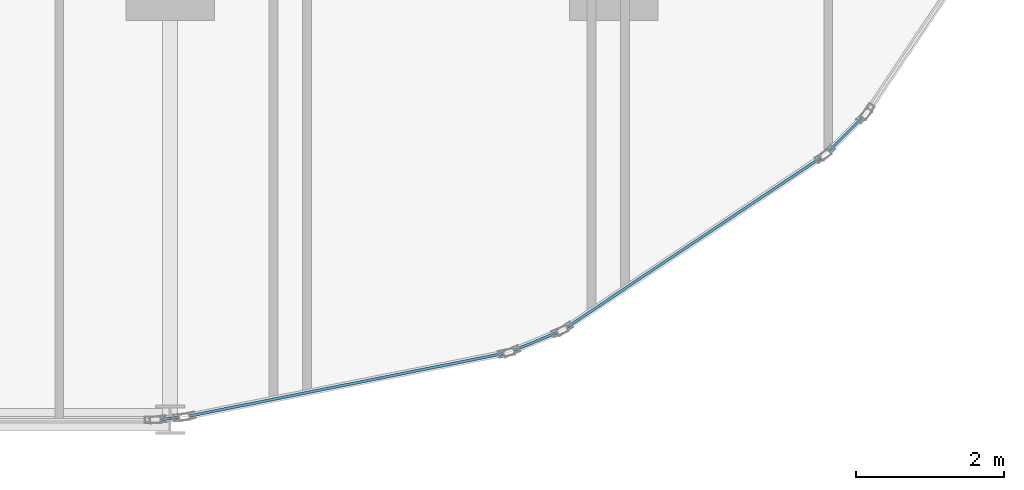
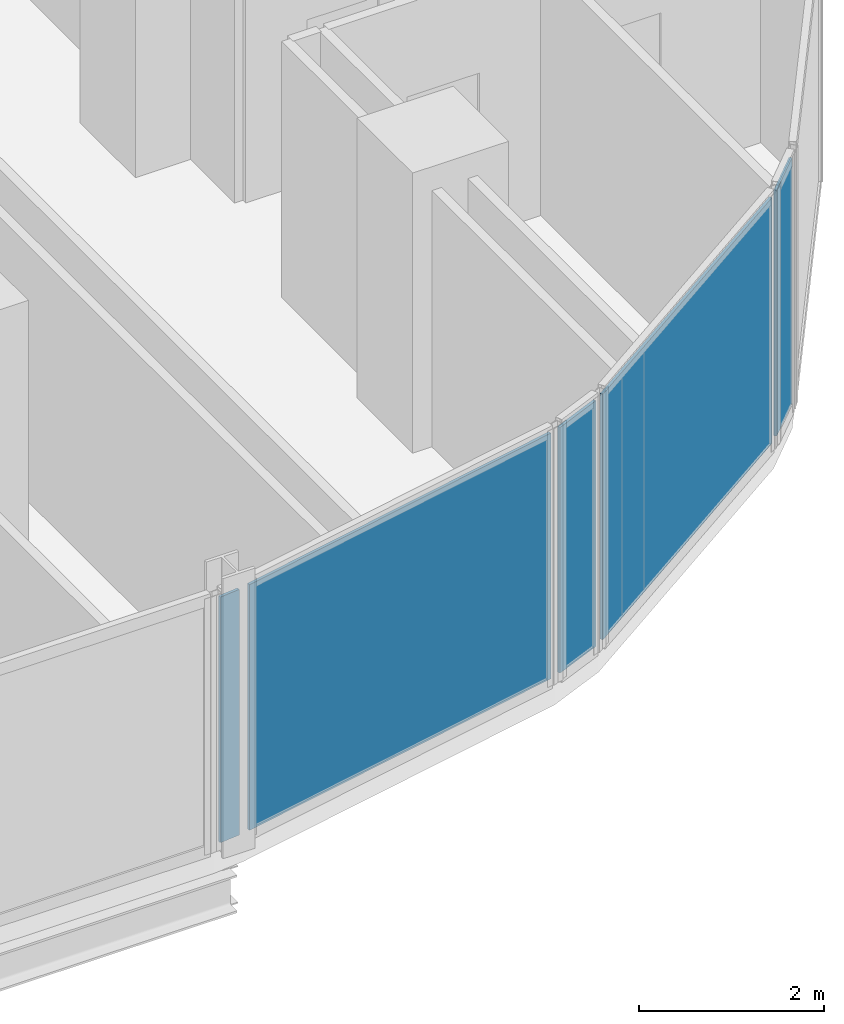
# One storey, part 22 of 34: 5 plates, 5 elements without a shape of their own.
"""IFC4 building model written with IfcOpenShell, lengths in metres."""

import ifcopenshell
import ifcopenshell.guid

model = None  # the IFC model being written
_history = None  # IfcOwnerHistory: only IFC2X3 demands one
_inside = {}  # id of a spatial element -> (the spatial element, [elements in it])
_under = {}  # id of a project, library or spatial element -> (it, [spatial elements below it])
_declared = {}  # id of a project -> (the project, [libraries it declares])
_typed = {}  # id of a type object -> (the type object, [elements of that type])
_made_of = {}  # id of a material, layer set ... -> (it, [elements and type objects made of it])


def new_model(schema):
    """Start an empty IFC model of exactly this schema.

    Asked for "IFC4X3", IfcOpenShell would pick the latest addendum, in which some entities
    have other attributes; the version numbers below select the first issue.
    IFC2X3 requires an IfcOwnerHistory on every rooted entity: one is made here for all.
    """
    global model, _history
    if schema == "IFC4X3":
        model = ifcopenshell.file(schema_version=(4, 3, 0, 0))
    else:
        model = ifcopenshell.file(schema=schema)
    _inside.clear()
    _under.clear()
    _declared.clear()
    _typed.clear()
    _made_of.clear()
    _history = None
    if model.schema == "IFC2X3":
        org = make("IfcOrganization", Name="unknown")
        user = make(
            "IfcPersonAndOrganization",
            ThePerson=make("IfcPerson", FamilyName="unknown"),
            TheOrganization=org,
        )
        app = make(
            "IfcApplication",
            ApplicationDeveloper=org,
            Version="unknown",
            ApplicationFullName="unknown",
            ApplicationIdentifier="unknown",
        )
        _history = make(
            "IfcOwnerHistory",
            OwningUser=user,
            OwningApplication=app,
            ChangeAction="ADDED",
            CreationDate=0,
        )
    return model


def make(cls, **values):
    """One entity of the class cls with the attributes given. An attribute that is None is left unset."""
    return model.create_entity(
        cls, **{name: value for name, value in values.items() if value is not None}
    )


def rooted(cls, **values):
    """An entity with a GlobalId (a new one), such as an element, a storey or a relation."""
    return make(cls, GlobalId=ifcopenshell.guid.new(), OwnerHistory=_history, **values)


def si_unit(unit_type, name, prefix=None):
    """IfcSIUnit, for example si_unit("LENGTHUNIT", "METRE", prefix="MILLI")."""
    return make("IfcSIUnit", UnitType=unit_type, Prefix=prefix, Name=name)


def assignment(units):
    """IfcUnitAssignment: the units of a project."""
    return None if units is None else make("IfcUnitAssignment", Units=units)


def point(xyz):
    """IfcCartesianPoint."""
    return None if xyz is None else make("IfcCartesianPoint", Coordinates=xyz)


def direction(xyz):
    """IfcDirection."""
    return None if xyz is None else make("IfcDirection", DirectionRatios=xyz)


def frame(location, z_axis=None, x_axis=None):
    """IfcAxis2Placement3D, a coordinate frame: its origin and axes. An axis left out is left unset."""
    return make(
        "IfcAxis2Placement3D",
        Location=point(location),
        Axis=direction(z_axis),
        RefDirection=direction(x_axis),
    )


def frame_2d(location, x_axis=None):
    """IfcAxis2Placement2D, a coordinate frame in the plane: its origin and x axis."""
    return make(
        "IfcAxis2Placement2D", Location=point(location), RefDirection=direction(x_axis)
    )


def origin():
    """The frame at (0, 0, 0) with its axes left unset."""
    return frame((0.0, 0.0, 0.0))


def origin_2d():
    """The frame at (0, 0) in the plane with its x axis left unset."""
    return frame_2d((0.0, 0.0))


def place(relative_to, where):
    """IfcLocalPlacement: puts the frame where relative to a parent placement (None: the world)."""
    return make(
        "IfcLocalPlacement", PlacementRelTo=relative_to, RelativePlacement=where
    )


def context(
    kind, dimensions, precision=None, world=None, true_north=None, identifier=None
):
    """IfcGeometricRepresentationContext, for example the 3D "Model" context."""
    return make(
        "IfcGeometricRepresentationContext",
        ContextIdentifier=identifier,
        ContextType=kind,
        CoordinateSpaceDimension=dimensions,
        Precision=precision,
        WorldCoordinateSystem=world,
        TrueNorth=true_north,
    )


def subcontext(parent, identifier, kind, view, scale=None):
    """IfcGeometricRepresentationSubContext, for example "Body" below "Model"."""
    return make(
        "IfcGeometricRepresentationSubContext",
        ContextIdentifier=identifier,
        ContextType=kind,
        ParentContext=parent,
        TargetScale=scale,
        TargetView=view,
    )


def project(units=None, contexts=None):
    """IfcProject with its units and contexts."""
    return rooted(
        "IfcProject",
        Name="project",
        RepresentationContexts=contexts,
        UnitsInContext=assignment(units),
    )


def spatial(cls, under=None, at=None, **own):
    """A site, building, storey or space (cls), placed at a placement, below another one or the project."""
    s = rooted(cls, ObjectPlacement=at, **own)
    if under is not None:
        _under.setdefault(under.id(), (under, []))[1].append(s)
    return s


def profile(cls, at=None, kind="AREA", **sizes):
    """A parametric profile (cls). Its sizes go by their IFC names, for example OverallWidth=200.0."""
    return make(cls, ProfileType=kind, Position=at, **sizes)


def rectangle(**sizes):
    """IfcRectangleProfileDef."""
    return profile("IfcRectangleProfileDef", **sizes)


def extrude(swept, where, along, depth):
    """IfcExtrudedAreaSolid: the profile swept, set in the frame where, extruded along a direction by depth."""
    return make(
        "IfcExtrudedAreaSolid",
        SweptArea=swept,
        Position=where,
        ExtrudedDirection=direction(along),
        Depth=depth,
    )


def shape(context_of_items, identifier, shape_type, items):
    """IfcShapeRepresentation: the items that make up one representation, for example the "Body"."""
    return make(
        "IfcShapeRepresentation",
        ContextOfItems=context_of_items,
        RepresentationIdentifier=identifier,
        RepresentationType=shape_type,
        Items=items,
    )


def material(Name=None, Category=None):
    """IfcMaterial."""
    return make("IfcMaterial", Name=Name, Category=Category)


def layer(
    of_material, thickness, ventilated=None, Name=None, Category=None, Priority=None
):
    """IfcMaterialLayer: one layer of a wall or slab, of a material (None: an air gap)."""
    return make(
        "IfcMaterialLayer",
        Material=of_material,
        LayerThickness=thickness,
        IsVentilated=ventilated,
        Name=Name,
        Category=Category,
        Priority=Priority,
    )


def layer_set(layers, Name=None):
    """IfcMaterialLayerSet."""
    return make("IfcMaterialLayerSet", MaterialLayers=layers, LayerSetName=Name)


def made_of(thing, what):
    """Note that an element or type object is made of a material, layer set ...; save() writes the relation."""
    if what is not None:
        _made_of.setdefault(what.id(), (what, []))[1].append(thing)
    return thing


def type_object(cls, material=None, **own):
    """A type object (cls), such as IfcWallType, which elements share."""
    return made_of(rooted(cls, **own), material)


def element(
    cls,
    number,
    at=None,
    inside=None,
    cuts=None,
    type_object=None,
    material=None,
    context=None,
    identifier="Body",
    shape_type=None,
    held_by="IfcProductDefinitionShape",
    body=None,
    shapes=None,
    **own,
):
    """One element of the class cls, such as IfcWall. Its Tag is "e" and its number.

    at: its placement. inside: the storey or other place that contains it. cuts: it is an
    opening in that element (IfcRelVoidsElement). A single representation is given by context,
    identifier, shape_type and body (its items); several are given by shapes. held_by: the class
    of the entity that holds the representations. save() writes the other relations.
    """
    e = rooted(cls, Tag="e%d" % number, ObjectPlacement=at, **own)
    if body is not None:
        shapes = [shape(context, identifier, shape_type, body)]
    if shapes is not None:
        e.Representation = make(held_by, Representations=shapes)
    if inside is not None:
        _inside.setdefault(inside.id(), (inside, []))[1].append(e)
    if cuts is not None:
        rooted(
            "IfcRelVoidsElement", RelatingBuildingElement=cuts, RelatedOpeningElement=e
        )
    if type_object is not None:
        _typed.setdefault(type_object.id(), (type_object, []))[1].append(e)
    return made_of(e, material)


def aggregate(whole, parts):
    """IfcRelAggregates: a whole, such as a stair, and the parts it consists of."""
    return rooted("IfcRelAggregates", RelatingObject=whole, RelatedObjects=parts)


def save(model, path):
    """Write the relations noted so far, then the file.

    IfcRelAggregates (storeys below a building ...), IfcRelContainedInSpatialStructure (elements
    in a storey), IfcRelDefinesByType, IfcRelAssociatesMaterial and IfcRelDeclares: one each for
    every whole, place, type object, material and project.
    """
    for whole, parts in _under.values():
        aggregate(whole, parts)
    for where, things in _inside.values():
        rooted(
            "IfcRelContainedInSpatialStructure",
            RelatedElements=things,
            RelatingStructure=where,
        )
    for kind, things in _typed.values():
        rooted("IfcRelDefinesByType", RelatedObjects=things, RelatingType=kind)
    for what, things in _made_of.values():
        rooted("IfcRelAssociatesMaterial", RelatedObjects=things, RelatingMaterial=what)
    for by, libraries in _declared.values():
        rooted("IfcRelDeclares", RelatingContext=by, RelatedDefinitions=libraries)
    model.write(path)


model = new_model("IFC4")

# Units and contexts
model_context = context("Model", 3, precision=1e-05, world=origin(), true_north=direction((0.0, 1.0)))
body_context = subcontext(model_context, "Body", "Model", "MODEL_VIEW")
ifc_project = project(units=[si_unit("LENGTHUNIT", "METRE"), si_unit("AREAUNIT", "SQUARE_METRE"), si_unit("VOLUMEUNIT", "CUBIC_METRE"), si_unit("PLANEANGLEUNIT", "RADIAN"), si_unit("MASSUNIT", "GRAM", prefix="KILO")], contexts=[model_context])

# Site, building, storey
site_placement = place(None, origin())
site = spatial("IfcSite", under=ifc_project, at=site_placement, CompositionType="ELEMENT")
building_placement = place(site_placement, origin())
building = spatial("IfcBuilding", under=site, at=building_placement, Name="Keshet Zoharim Tower", CompositionType="ELEMENT")
storey_placement = place(building_placement, frame((0.0, 0.0, 53.60009765625)))
storey = spatial("IfcBuildingStorey", under=building, at=storey_placement, Name="L12", CompositionType="ELEMENT", Elevation=53.60009765625)

# Curtain wall, plate
ifc_material_1 = material(Name="Aluminium 6063-T6", Category="aluminium")
ifc_layer_1 = layer(ifc_material_1, 0.179931640625)
ifc_layer_set_1 = layer_set([ifc_layer_1], Name="Aluminium 6063-T6")
curtain_wall_type = type_object("IfcCurtainWallType", Name="CW-SYS-01", PredefinedType="NOTDEFINED", material=ifc_layer_set_1)
curtain_wall_1_placement = place(storey_placement, origin())
curtain_wall_1 = element("IfcCurtainWall", 1, at=curtain_wall_1_placement, inside=storey, type_object=curtain_wall_type, Name="L12 Unitised Curtain Wall 21", PredefinedType="NOTDEFINED")
ifc_material_2 = material(Name="Insulated Low-E Clear Glass", Category="glass")
ifc_layer_2 = layer(ifc_material_2, 0.035888671875)
ifc_layer_set_2 = layer_set([ifc_layer_2], Name="Insulated Low-E Clear Glass")
plate_type = type_object("IfcPlateType", Name="CWP-01", PredefinedType="CURTAIN_PANEL", material=ifc_layer_set_2)
plate_1_placement = place(storey_placement, frame((66.137451171875, 4.5625, 0.06982421875), z_axis=(0.0, 0.0, 1.0), x_axis=(-0.707106781187, -0.707106781187, 0.0)))
plate_1 = element("IfcPlate", 2, at=plate_1_placement, type_object=plate_type, Name="CW-01 panel 1.1", PredefinedType="CURTAIN_PANEL", context=body_context, shape_type="SweptSolid", body=[
    extrude(rectangle(XDim=0.63916015625, YDim=0.035888671875, at=origin_2d()), origin(), (0.0, 0.0, 1.0), 3.2451171875),
])
aggregate(curtain_wall_1, [plate_1])

curtain_wall_2_placement = place(storey_placement, origin())
curtain_wall_2 = element("IfcCurtainWall", 3, at=curtain_wall_2_placement, inside=storey, type_object=curtain_wall_type, Name="L12 Unitised Curtain Wall 22", PredefinedType="NOTDEFINED")
plate_2_placement = place(storey_placement, frame((64.083984375, 3.09912109375, 0.06982421875), z_axis=(0.0, 0.0, 1.0), x_axis=(-0.831474282335, -0.555563243758, 0.0)))
plate_2 = element("IfcPlate", 4, at=plate_2_placement, type_object=plate_type, Name="CW-01 panel 1.1", PredefinedType="CURTAIN_PANEL", context=body_context, shape_type="SweptSolid", body=[
    extrude(rectangle(XDim=4.13671875, YDim=0.035888671875, at=origin_2d()), origin(), (0.0, 0.0, 1.0), 3.2451171875),
])
aggregate(curtain_wall_2, [plate_2])

curtain_wall_3_placement = place(storey_placement, origin())
curtain_wall_3 = element("IfcCurtainWall", 5, at=curtain_wall_3_placement, inside=storey, type_object=curtain_wall_type, Name="L12 Unitised Curtain Wall 23", PredefinedType="NOTDEFINED")
plate_3_placement = place(storey_placement, frame((61.945556640625, 1.761474609375, 0.06982421875), z_axis=(0.0, 0.0, 1.0), x_axis=(-0.923720000557, -0.383068349739, 0.0)))
plate_3 = element("IfcPlate", 6, at=plate_3_placement, type_object=plate_type, Name="CW-01 panel 1.1", PredefinedType="CURTAIN_PANEL", context=body_context, shape_type="SweptSolid", body=[
    extrude(rectangle(XDim=0.640625, YDim=0.035888671875, at=origin_2d()), origin(), (0.0, 0.0, 1.0), 3.2451171875),
])
aggregate(curtain_wall_3, [plate_3])

curtain_wall_4_placement = place(storey_placement, origin())
curtain_wall_4 = element("IfcCurtainWall", 7, at=curtain_wall_4_placement, inside=storey, type_object=curtain_wall_type, Name="L12 Unitised Curtain Wall 24", PredefinedType="NOTDEFINED")
plate_4_placement = place(storey_placement, frame((59.388916015625, 1.175048828125, 0.06982421875), z_axis=(0.0, 0.0, 1.0), x_axis=(-0.98076917357, -0.195171279072, 0.0)))
plate_4 = element("IfcPlate", 8, at=plate_4_placement, type_object=plate_type, Name="CW-01 panel 1.1", PredefinedType="CURTAIN_PANEL", context=body_context, shape_type="SweptSolid", body=[
    extrude(rectangle(XDim=4.338134765625, YDim=0.035888671875, at=origin_2d()), origin(), (0.0, 0.0, 1.0), 3.2451171875),
])
aggregate(curtain_wall_4, [plate_4])

curtain_wall_5_placement = place(storey_placement, origin())
curtain_wall_5 = element("IfcCurtainWall", 9, at=curtain_wall_5_placement, inside=storey, type_object=curtain_wall_type, Name="L12 Unitised Curtain Wall 25", PredefinedType="NOTDEFINED")
plate_5_placement = place(storey_placement, frame((56.998046875, 0.718994140625, 0.06982421875), z_axis=(0.0, 0.0, 1.0), x_axis=(-0.995286657009, -0.096976648633, 0.0)))
plate_5 = element("IfcPlate", 10, at=plate_5_placement, type_object=plate_type, Name="CW-01 panel 1.1", PredefinedType="CURTAIN_PANEL", context=body_context, shape_type="SweptSolid", body=[
    extrude(rectangle(XDim=0.251953125, YDim=0.035888671875, at=origin_2d()), origin(), (0.0, 0.0, 1.0), 3.2451171875),
])
aggregate(curtain_wall_5, [plate_5])

save(model, "model.ifc")
